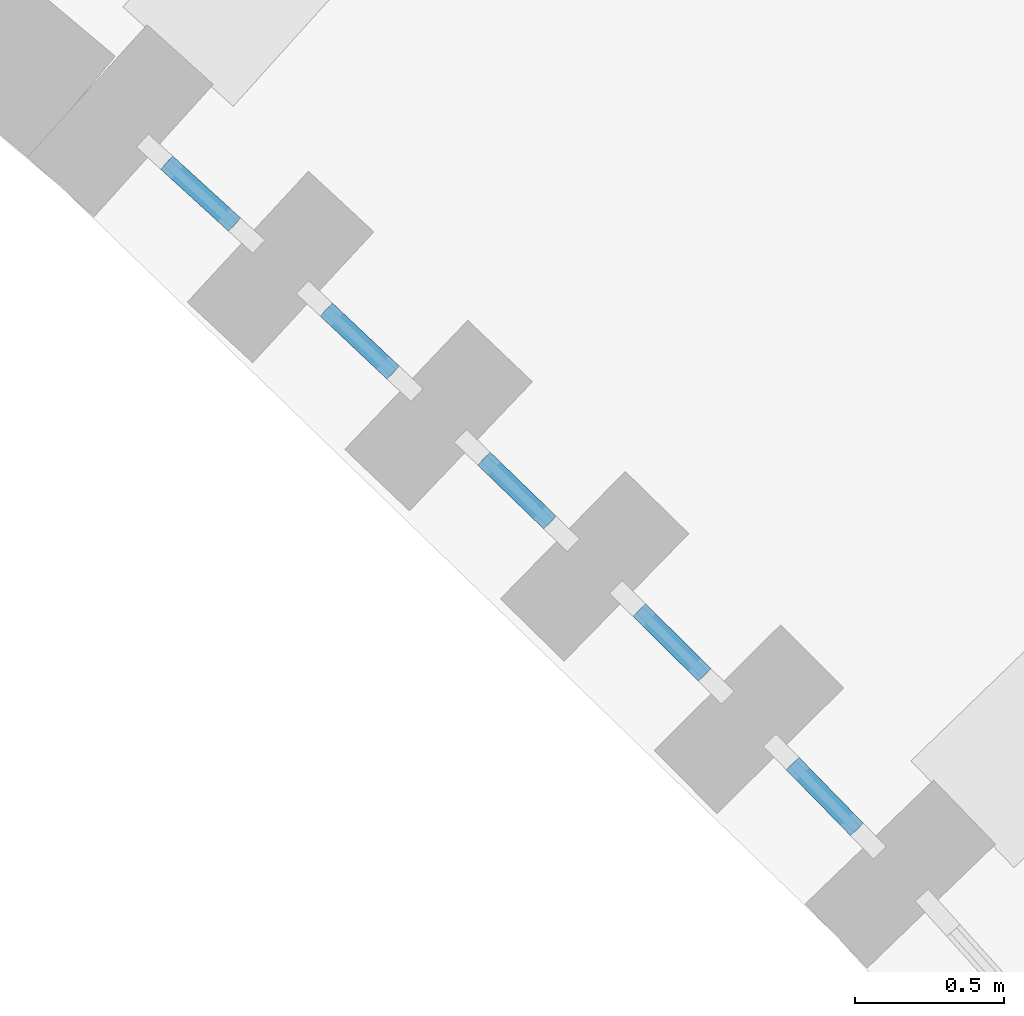
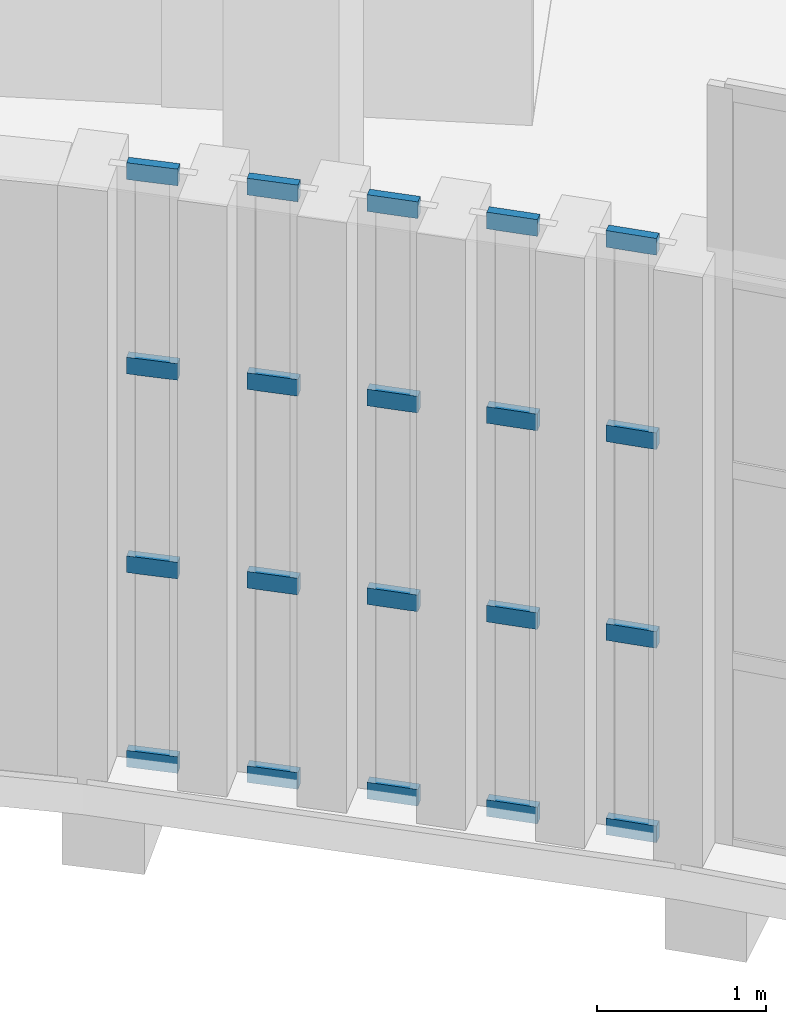
# One storey, part 32 of 112: 20 members, 5 elements without a shape of their own.
"""IFC4 building model written with IfcOpenShell, lengths in metres."""

from ifc_helpers import new_model, si_unit, direction, frame, origin, origin_2d, place, context, subcontext, project, spatial, rectangle, extrude, material, layer, layer_set, material_profile, profile_set, type_object, element, aggregate, save


model = new_model("IFC4")

# Units and contexts
model_context = context("Model", 3, precision=1e-05, world=origin(), true_north=direction((0.0, 1.0)))
body_context = subcontext(model_context, "Body", "Model", "MODEL_VIEW")
ifc_project = project(units=[si_unit("LENGTHUNIT", "METRE"), si_unit("AREAUNIT", "SQUARE_METRE"), si_unit("VOLUMEUNIT", "CUBIC_METRE"), si_unit("PLANEANGLEUNIT", "RADIAN"), si_unit("MASSUNIT", "GRAM", prefix="KILO")], contexts=[model_context])

# Site, building, storey
site_placement = place(None, origin())
site = spatial("IfcSite", under=ifc_project, at=site_placement, CompositionType="ELEMENT")
building_placement = place(site_placement, origin())
building = spatial("IfcBuilding", under=site, at=building_placement, Name="Lunette Opera House", CompositionType="ELEMENT")
storey_placement = place(building_placement, frame((0.0, 0.0, 6.0)))
storey = spatial("IfcBuildingStorey", under=building, at=storey_placement, Name="L01", CompositionType="ELEMENT", Elevation=6.0)

# Curtain wall, members
ifc_material_1 = material(Name="Aluminium", Category="aluminium")
ifc_layer = layer(ifc_material_1, 0.1201171875)
ifc_layer_set = layer_set([ifc_layer], Name="Aluminium")
curtain_wall_type = type_object("IfcCurtainWallType", Name="SLOT CURTAIN WALL", PredefinedType="NOTDEFINED", material=ifc_layer_set)
curtain_wall_1_placement = place(storey_placement, origin())
curtain_wall_1 = element("IfcCurtainWall", 1, at=curtain_wall_1_placement, inside=storey, type_object=curtain_wall_type, Name="Slot Curtain Wall CS076 L01", PredefinedType="NOTDEFINED")
ifc_material_2 = material(Name="Aluminium", Category="aluminium")
ifc_material_profile = material_profile(ifc_material_2, rectangle(XDim=0.06005859375, YDim=0.1201171875, at=origin_2d()), Name="TRANSOM 60 X 120")
ifc_profile_set = profile_set([ifc_material_profile], Name="Aluminium")
member_type = type_object("IfcMemberType", Name="TRANSOM 60 X 120", PredefinedType="USERDEFINED", material=ifc_profile_set)
member_1_placement = place(storey_placement, frame((131.1513671875, 38.7255859375, 0.030029296875), z_axis=(0.738621715526, -0.674120138665, 0.0), x_axis=(0.674120138665, 0.738621715526, 0.0)))
member_1 = element("IfcMember", 2, at=member_1_placement, type_object=member_type, Name="FC-X2152 transom 1.1", ObjectType="TRANSOM", PredefinedType="USERDEFINED", context=body_context, shape_type="SweptSolid", body=[
    extrude(rectangle(XDim=0.06005859375, YDim=0.1201171875, at=origin_2d()), origin(), (0.0, 0.0, 1.0), 0.310302734375),
])
member_2_placement = place(storey_placement, frame((131.1513671875, 38.7255859375, 1.43310546875), z_axis=(0.738621715526, -0.674120138665, 0.0), x_axis=(0.674120138665, 0.738621715526, 0.0)))
member_2 = element("IfcMember", 3, at=member_2_placement, type_object=member_type, Name="FC-X2152 transom 1.2", ObjectType="TRANSOM", PredefinedType="USERDEFINED", context=body_context, shape_type="SweptSolid", body=[
    extrude(rectangle(XDim=0.06005859375, YDim=0.1201171875, at=origin_2d()), origin(), (0.0, 0.0, 1.0), 0.310302734375),
])
member_3_placement = place(storey_placement, frame((131.1513671875, 38.7255859375, 2.866943359375), z_axis=(0.738621715526, -0.674120138665, 0.0), x_axis=(0.674120138665, 0.738621715526, 0.0)))
member_3 = element("IfcMember", 4, at=member_3_placement, type_object=member_type, Name="FC-X2152 transom 1.3", ObjectType="TRANSOM", PredefinedType="USERDEFINED", context=body_context, shape_type="SweptSolid", body=[
    extrude(rectangle(XDim=0.06005859375, YDim=0.1201171875, at=origin_2d()), origin(), (0.0, 0.0, 1.0), 0.310302734375),
])
member_4_placement = place(storey_placement, frame((131.1513671875, 38.7255859375, 4.27001953125), z_axis=(0.738621715526, -0.674120138665, 0.0), x_axis=(0.674120138665, 0.738621715526, 0.0)))
member_4 = element("IfcMember", 5, at=member_4_placement, type_object=member_type, Name="FC-X2152 transom 1.4", ObjectType="TRANSOM", PredefinedType="USERDEFINED", context=body_context, shape_type="SweptSolid", body=[
    extrude(rectangle(XDim=0.06005859375, YDim=0.1201171875, at=origin_2d()), origin(), (0.0, 0.0, 1.0), 0.310302734375),
])
aggregate(curtain_wall_1, [member_1, member_2, member_3, member_4])

curtain_wall_2_placement = place(storey_placement, origin())
curtain_wall_2 = element("IfcCurtainWall", 6, at=curtain_wall_2_placement, inside=storey, type_object=curtain_wall_type, Name="Slot Curtain Wall CS077 L01", PredefinedType="NOTDEFINED")
member_5_placement = place(storey_placement, frame((131.688720703125, 38.23095703125, 0.030029296875), z_axis=(0.727275036379, -0.686346138228, 0.0), x_axis=(0.686346138228, 0.727275036379, 0.0)))
member_5 = element("IfcMember", 7, at=member_5_placement, type_object=member_type, Name="FC-X2154 transom 1.1", ObjectType="TRANSOM", PredefinedType="USERDEFINED", context=body_context, shape_type="SweptSolid", body=[
    extrude(rectangle(XDim=0.06005859375, YDim=0.1201171875, at=origin_2d()), origin(), (0.0, 0.0, 1.0), 0.31005859375),
])
member_6_placement = place(storey_placement, frame((131.688720703125, 38.23095703125, 1.43310546875), z_axis=(0.727275036379, -0.686346138228, 0.0), x_axis=(0.686346138228, 0.727275036379, 0.0)))
member_6 = element("IfcMember", 8, at=member_6_placement, type_object=member_type, Name="FC-X2154 transom 1.2", ObjectType="TRANSOM", PredefinedType="USERDEFINED", context=body_context, shape_type="SweptSolid", body=[
    extrude(rectangle(XDim=0.06005859375, YDim=0.1201171875, at=origin_2d()), origin(), (0.0, 0.0, 1.0), 0.31005859375),
])
member_7_placement = place(storey_placement, frame((131.688720703125, 38.23095703125, 2.866943359375), z_axis=(0.727275036379, -0.686346138228, 0.0), x_axis=(0.686346138228, 0.727275036379, 0.0)))
member_7 = element("IfcMember", 9, at=member_7_placement, type_object=member_type, Name="FC-X2154 transom 1.3", ObjectType="TRANSOM", PredefinedType="USERDEFINED", context=body_context, shape_type="SweptSolid", body=[
    extrude(rectangle(XDim=0.06005859375, YDim=0.1201171875, at=origin_2d()), origin(), (0.0, 0.0, 1.0), 0.31005859375),
])
member_8_placement = place(storey_placement, frame((131.688720703125, 38.23095703125, 4.27001953125), z_axis=(0.727275036379, -0.686346138228, 0.0), x_axis=(0.686346138228, 0.727275036379, 0.0)))
member_8 = element("IfcMember", 10, at=member_8_placement, type_object=member_type, Name="FC-X2154 transom 1.4", ObjectType="TRANSOM", PredefinedType="USERDEFINED", context=body_context, shape_type="SweptSolid", body=[
    extrude(rectangle(XDim=0.06005859375, YDim=0.1201171875, at=origin_2d()), origin(), (0.0, 0.0, 1.0), 0.31005859375),
])
aggregate(curtain_wall_2, [member_5, member_6, member_7, member_8])

curtain_wall_3_placement = place(storey_placement, origin())
curtain_wall_3 = element("IfcCurtainWall", 11, at=curtain_wall_3_placement, inside=storey, type_object=curtain_wall_type, Name="Slot Curtain Wall CS078 L01", PredefinedType="NOTDEFINED")
member_9_placement = place(storey_placement, frame((132.21923828125, 37.729248046875, 0.030029296875), z_axis=(0.71843703481, -0.695591997519, 0.0), x_axis=(0.695591997519, 0.71843703481, 0.0)))
member_9 = element("IfcMember", 12, at=member_9_placement, type_object=member_type, Name="FC-X2156 transom 1.1", ObjectType="TRANSOM", PredefinedType="USERDEFINED", context=body_context, shape_type="SweptSolid", body=[
    extrude(rectangle(XDim=0.06005859375, YDim=0.1201171875, at=origin_2d()), origin(), (0.0, 0.0, 1.0), 0.309814453125),
])
member_10_placement = place(storey_placement, frame((132.21923828125, 37.729248046875, 1.43310546875), z_axis=(0.71843703481, -0.695591997519, 0.0), x_axis=(0.695591997519, 0.71843703481, 0.0)))
member_10 = element("IfcMember", 13, at=member_10_placement, type_object=member_type, Name="FC-X2156 transom 1.2", ObjectType="TRANSOM", PredefinedType="USERDEFINED", context=body_context, shape_type="SweptSolid", body=[
    extrude(rectangle(XDim=0.06005859375, YDim=0.1201171875, at=origin_2d()), origin(), (0.0, 0.0, 1.0), 0.309814453125),
])
member_11_placement = place(storey_placement, frame((132.21923828125, 37.729248046875, 2.866943359375), z_axis=(0.71843703481, -0.695591997519, 0.0), x_axis=(0.695591997519, 0.71843703481, 0.0)))
member_11 = element("IfcMember", 14, at=member_11_placement, type_object=member_type, Name="FC-X2156 transom 1.3", ObjectType="TRANSOM", PredefinedType="USERDEFINED", context=body_context, shape_type="SweptSolid", body=[
    extrude(rectangle(XDim=0.06005859375, YDim=0.1201171875, at=origin_2d()), origin(), (0.0, 0.0, 1.0), 0.309814453125),
])
member_12_placement = place(storey_placement, frame((132.21923828125, 37.729248046875, 4.27001953125), z_axis=(0.71843703481, -0.695591997519, 0.0), x_axis=(0.695591997519, 0.71843703481, 0.0)))
member_12 = element("IfcMember", 15, at=member_12_placement, type_object=member_type, Name="FC-X2156 transom 1.4", ObjectType="TRANSOM", PredefinedType="USERDEFINED", context=body_context, shape_type="SweptSolid", body=[
    extrude(rectangle(XDim=0.06005859375, YDim=0.1201171875, at=origin_2d()), origin(), (0.0, 0.0, 1.0), 0.309814453125),
])
aggregate(curtain_wall_3, [member_9, member_10, member_11, member_12])

curtain_wall_4_placement = place(storey_placement, origin())
curtain_wall_4 = element("IfcCurtainWall", 16, at=curtain_wall_4_placement, inside=storey, type_object=curtain_wall_type, Name="Slot Curtain Wall CS079 L01", PredefinedType="NOTDEFINED")
member_13_placement = place(storey_placement, frame((132.74169921875, 37.2197265625, 0.030029296875), z_axis=(0.710635387605, -0.703560477773, 0.0), x_axis=(0.703560477773, 0.710635387605, 0.0)))
member_13 = element("IfcMember", 17, at=member_13_placement, type_object=member_type, Name="FC-X2158 transom 1.1", ObjectType="TRANSOM", PredefinedType="USERDEFINED", context=body_context, shape_type="SweptSolid", body=[
    extrude(rectangle(XDim=0.06005859375, YDim=0.1201171875, at=origin_2d()), origin(), (0.0, 0.0, 1.0), 0.310546875),
])
member_14_placement = place(storey_placement, frame((132.74169921875, 37.2197265625, 1.43310546875), z_axis=(0.710635387605, -0.703560477773, 0.0), x_axis=(0.703560477773, 0.710635387605, 0.0)))
member_14 = element("IfcMember", 18, at=member_14_placement, type_object=member_type, Name="FC-X2158 transom 1.2", ObjectType="TRANSOM", PredefinedType="USERDEFINED", context=body_context, shape_type="SweptSolid", body=[
    extrude(rectangle(XDim=0.06005859375, YDim=0.1201171875, at=origin_2d()), origin(), (0.0, 0.0, 1.0), 0.310546875),
])
member_15_placement = place(storey_placement, frame((132.74169921875, 37.2197265625, 2.866943359375), z_axis=(0.710635387605, -0.703560477773, 0.0), x_axis=(0.703560477773, 0.710635387605, 0.0)))
member_15 = element("IfcMember", 19, at=member_15_placement, type_object=member_type, Name="FC-X2158 transom 1.3", ObjectType="TRANSOM", PredefinedType="USERDEFINED", context=body_context, shape_type="SweptSolid", body=[
    extrude(rectangle(XDim=0.06005859375, YDim=0.1201171875, at=origin_2d()), origin(), (0.0, 0.0, 1.0), 0.310546875),
])
member_16_placement = place(storey_placement, frame((132.74169921875, 37.2197265625, 4.27001953125), z_axis=(0.710635387605, -0.703560477773, 0.0), x_axis=(0.703560477773, 0.710635387605, 0.0)))
member_16 = element("IfcMember", 20, at=member_16_placement, type_object=member_type, Name="FC-X2158 transom 1.4", ObjectType="TRANSOM", PredefinedType="USERDEFINED", context=body_context, shape_type="SweptSolid", body=[
    extrude(rectangle(XDim=0.06005859375, YDim=0.1201171875, at=origin_2d()), origin(), (0.0, 0.0, 1.0), 0.310546875),
])
aggregate(curtain_wall_4, [member_13, member_14, member_15, member_16])

curtain_wall_5_placement = place(storey_placement, origin())
curtain_wall_5 = element("IfcCurtainWall", 21, at=curtain_wall_5_placement, inside=storey, type_object=curtain_wall_type, Name="Slot Curtain Wall CS080 L01", PredefinedType="NOTDEFINED")
member_17_placement = place(storey_placement, frame((133.258056640625, 36.703125, 0.030029296875), z_axis=(0.698805007599, -0.715312212502, 0.0), x_axis=(0.715312212502, 0.698805007599, 0.0)))
member_17 = element("IfcMember", 22, at=member_17_placement, type_object=member_type, Name="FC-X2160 transom 1.1", ObjectType="TRANSOM", PredefinedType="USERDEFINED", context=body_context, shape_type="SweptSolid", body=[
    extrude(rectangle(XDim=0.06005859375, YDim=0.1201171875, at=origin_2d()), origin(), (0.0, 0.0, 1.0), 0.310546875),
])
member_18_placement = place(storey_placement, frame((133.258056640625, 36.703125, 1.43310546875), z_axis=(0.698805007599, -0.715312212502, 0.0), x_axis=(0.715312212502, 0.698805007599, 0.0)))
member_18 = element("IfcMember", 23, at=member_18_placement, type_object=member_type, Name="FC-X2160 transom 1.2", ObjectType="TRANSOM", PredefinedType="USERDEFINED", context=body_context, shape_type="SweptSolid", body=[
    extrude(rectangle(XDim=0.06005859375, YDim=0.1201171875, at=origin_2d()), origin(), (0.0, 0.0, 1.0), 0.310546875),
])
member_19_placement = place(storey_placement, frame((133.258056640625, 36.703125, 2.866943359375), z_axis=(0.698805007599, -0.715312212502, 0.0), x_axis=(0.715312212502, 0.698805007599, 0.0)))
member_19 = element("IfcMember", 24, at=member_19_placement, type_object=member_type, Name="FC-X2160 transom 1.3", ObjectType="TRANSOM", PredefinedType="USERDEFINED", context=body_context, shape_type="SweptSolid", body=[
    extrude(rectangle(XDim=0.06005859375, YDim=0.1201171875, at=origin_2d()), origin(), (0.0, 0.0, 1.0), 0.310546875),
])
member_20_placement = place(storey_placement, frame((133.258056640625, 36.703125, 4.27001953125), z_axis=(0.698805007599, -0.715312212502, 0.0), x_axis=(0.715312212502, 0.698805007599, 0.0)))
member_20 = element("IfcMember", 25, at=member_20_placement, type_object=member_type, Name="FC-X2160 transom 1.4", ObjectType="TRANSOM", PredefinedType="USERDEFINED", context=body_context, shape_type="SweptSolid", body=[
    extrude(rectangle(XDim=0.06005859375, YDim=0.1201171875, at=origin_2d()), origin(), (0.0, 0.0, 1.0), 0.310546875),
])
aggregate(curtain_wall_5, [member_17, member_18, member_19, member_20])

save(model, "model.ifc")
